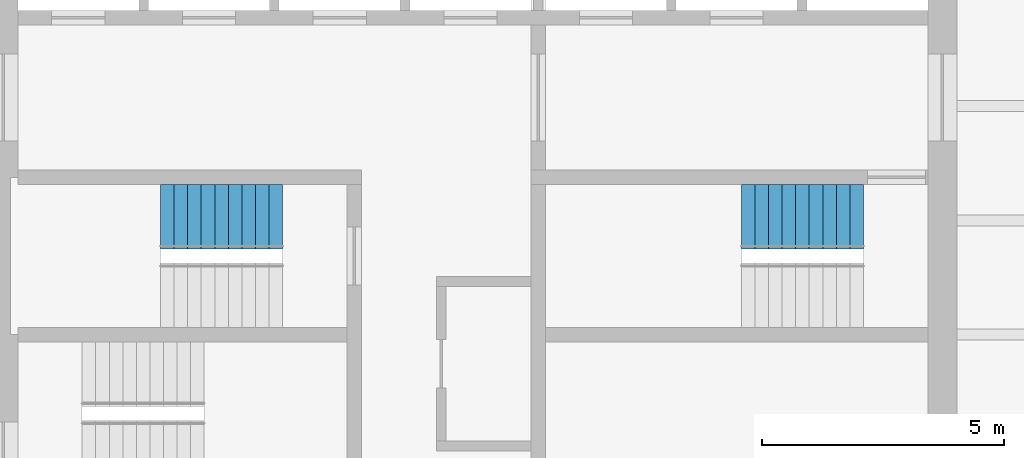
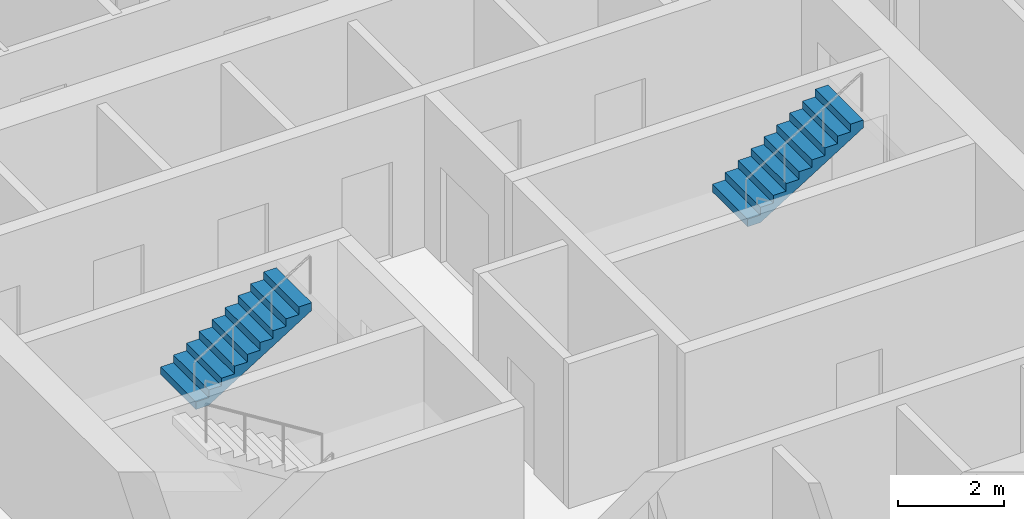
# One storey, part 9 of 10: 2 stair flights, 2 elements without a shape of their own.
"""IFC4 building model written with IfcOpenShell, lengths in metres."""

from ifc_helpers import new_model, si_unit, direction, frame, origin, place, context, subcontext, project, spatial, polyline, outline, extrude, material, type_object, element, aggregate, save


model = new_model("IFC4")

# Units and contexts
model_context = context("Model", 3, precision=1e-05, world=origin(), true_north=direction((0.0, 1.0)))
body_context = subcontext(model_context, "Body", "Model", "MODEL_VIEW")
ifc_project = project(units=[si_unit("LENGTHUNIT", "METRE"), si_unit("AREAUNIT", "SQUARE_METRE"), si_unit("VOLUMEUNIT", "CUBIC_METRE"), si_unit("PLANEANGLEUNIT", "RADIAN"), si_unit("MASSUNIT", "GRAM", prefix="KILO")], contexts=[model_context])

# Site, building, storey
site_placement = place(None, origin())
site = spatial("IfcSite", under=ifc_project, at=site_placement, CompositionType="ELEMENT")
building_placement = place(site_placement, origin())
building = spatial("IfcBuilding", under=site, at=building_placement, Name="Turquesa Mirador Hotel Tower", CompositionType="ELEMENT")
storey_placement = place(building_placement, frame((0.0, 0.0, 53.0)))
storey = spatial("IfcBuildingStorey", under=building, at=storey_placement, Name="L13", CompositionType="ELEMENT", Elevation=53.0)

# Stair, stair flight
ifc_material_1 = material(Name="Concrete C35/45", Category="concrete")
stair_type = type_object("IfcStairType", Name="ESCAPE STAIR CORE", PredefinedType="HALF_TURN_STAIR", material=ifc_material_1)
stair_1_placement = place(storey_placement, origin())
stair_1 = element("IfcStair", 1, at=stair_1_placement, inside=storey, type_object=stair_type, Name="Stair ST1 L13 to L14", PredefinedType="HALF_TURN_STAIR")
ifc_material_2 = material(Name="Concrete C35/45 precast flight", Category="concrete")
stair_flight_type = type_object("IfcStairFlightType", Name="STAIR FLIGHT 1330", PredefinedType="STRAIGHT", material=ifc_material_2)
stair_flight_1_placement = place(storey_placement, frame((48.550048828125, 47.43505859375, 1.75), z_axis=(0.0, 0.0, 1.0), x_axis=(1.0, 0.0, 0.0)))
stair_flight_1 = element("IfcStairFlight", 2, at=stair_flight_1_placement, type_object=stair_flight_type, Name="ST1 flight 2", NumberOfRisers=10, NumberOfTreads=9, PredefinedType="STRAIGHT", RiserHeight=0.175, TreadLength=0.28, context=body_context, shape_type="SweptSolid", body=[
    extrude(outline(polyline([(0.0, 0.0), (0.0, 0.175048828125), (0.280029296875, 0.175048828125), (0.280029296875, 0.35009765625), (0.56005859375, 0.35009765625), (0.56005859375, 0.52490234375), (0.840087890625, 0.52490234375), (0.840087890625, 0.699951171875), (1.1201171875, 0.699951171875), (1.1201171875, 0.875), (1.39990234375, 0.875), (1.39990234375, 1.050048828125), (1.679931640625, 1.050048828125), (1.679931640625, 1.22509765625), (1.9599609375, 1.22509765625), (1.9599609375, 1.39990234375), (2.239990234375, 1.39990234375), (2.239990234375, 1.574951171875), (2.52001953125, 1.574951171875), (2.52001953125, 1.75), (2.52001953125, 1.398193359375), (0.28271484375, 0.0), (0.0, 0.0)])), frame((0.0, 0.6650390625, 0.0), z_axis=(0.0, -1.0, 0.0), x_axis=(1.0, 0.0, 0.0)), (0.0, 0.0, 1.0), 1.330078125),
])
aggregate(stair_1, [stair_flight_1])

stair_2_placement = place(storey_placement, origin())
stair_2 = element("IfcStair", 3, at=stair_2_placement, inside=storey, type_object=stair_type, Name="Stair ST3 L13 to L14", PredefinedType="HALF_TURN_STAIR")
stair_flight_2_placement = place(storey_placement, frame((60.550048828125, 47.43505859375, 1.75), z_axis=(0.0, 0.0, 1.0), x_axis=(1.0, 0.0, 0.0)))
stair_flight_2 = element("IfcStairFlight", 4, at=stair_flight_2_placement, type_object=stair_flight_type, Name="ST3 flight 2", NumberOfRisers=10, NumberOfTreads=9, PredefinedType="STRAIGHT", RiserHeight=0.175, TreadLength=0.28, context=body_context, shape_type="SweptSolid", body=[
    extrude(outline(polyline([(0.0, 0.0), (0.0, 0.175048828125), (0.280029296875, 0.175048828125), (0.280029296875, 0.35009765625), (0.56005859375, 0.35009765625), (0.56005859375, 0.52490234375), (0.840087890625, 0.52490234375), (0.840087890625, 0.699951171875), (1.1201171875, 0.699951171875), (1.1201171875, 0.875), (1.39990234375, 0.875), (1.39990234375, 1.050048828125), (1.679931640625, 1.050048828125), (1.679931640625, 1.22509765625), (1.9599609375, 1.22509765625), (1.9599609375, 1.39990234375), (2.239990234375, 1.39990234375), (2.239990234375, 1.574951171875), (2.52001953125, 1.574951171875), (2.52001953125, 1.75), (2.52001953125, 1.398193359375), (0.28271484375, 0.0), (0.0, 0.0)])), frame((0.0, 0.6650390625, 0.0), z_axis=(0.0, -1.0, 0.0), x_axis=(1.0, 0.0, 0.0)), (0.0, 0.0, 1.0), 1.330078125),
])
aggregate(stair_2, [stair_flight_2])

save(model, "model.ifc")
